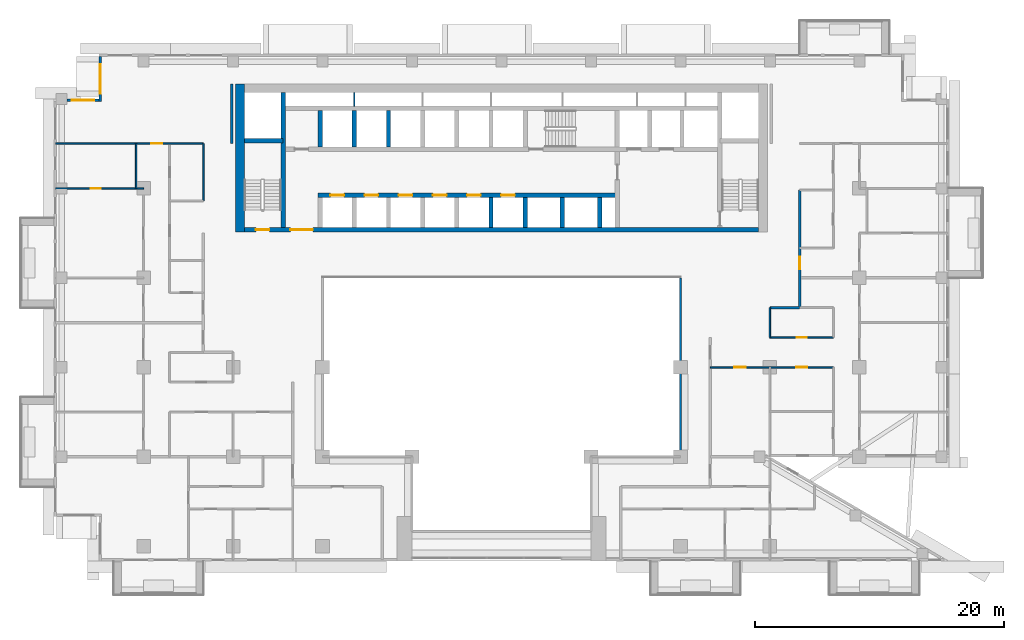
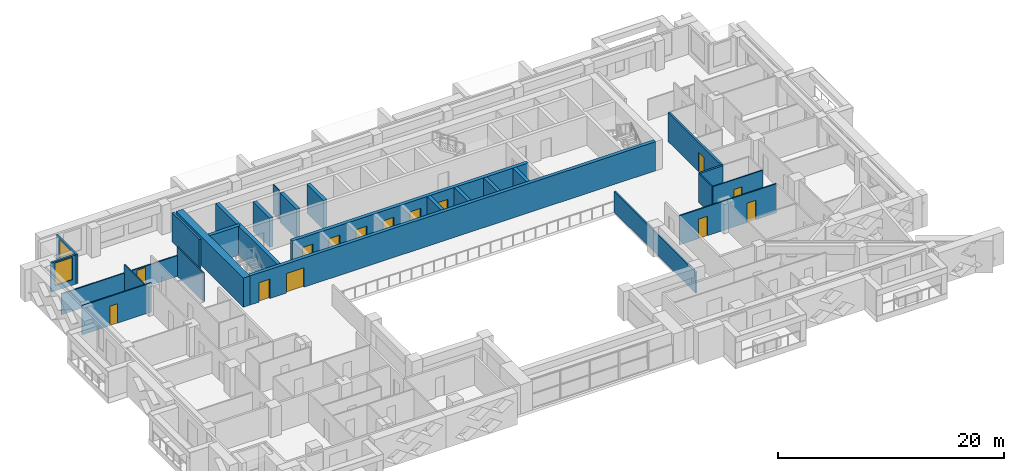
# One storey, part 9 of 19: 26 walls, 14 doors, 2 windows, 16 openings.
"""IFC4 building model written with IfcOpenShell, lengths in metres."""

from ifc_helpers import new_model, si_unit, direction, frame, frame_2d, origin, place, context, subcontext, project, spatial, rectangle, extrude, material, layer, layer_set, type_object, element, fill, save


model = new_model("IFC4")

# Units and contexts
model_context = context("Model", 3, precision=1e-05, world=origin(), true_north=direction((0.0, 1.0)))
body_context = subcontext(model_context, "Body", "Model", "MODEL_VIEW")
ifc_project = project(units=[si_unit("LENGTHUNIT", "METRE"), si_unit("AREAUNIT", "SQUARE_METRE"), si_unit("VOLUMEUNIT", "CUBIC_METRE"), si_unit("PLANEANGLEUNIT", "RADIAN"), si_unit("MASSUNIT", "GRAM", prefix="KILO")], contexts=[model_context])

# Site, building, storey
site_placement = place(None, origin())
site = spatial("IfcSite", under=ifc_project, at=site_placement, CompositionType="ELEMENT")
building_placement = place(site_placement, origin())
building = spatial("IfcBuilding", under=site, at=building_placement, Name="Saffron Iwan Residences", CompositionType="ELEMENT")
storey_placement = place(building_placement, frame((0.0, 0.0, 134.0)))
storey = spatial("IfcBuildingStorey", under=building, at=storey_placement, Name="L35", CompositionType="ELEMENT", Elevation=134.0)

# Wall
ifc_material_1 = material(Name="Fire-rated glazing", Category="glass")
ifc_layer_1 = layer(ifc_material_1, 0.14990234375)
ifc_layer_set_1 = layer_set([ifc_layer_1], Name="Fire-rated glazing")
wall_type_1 = type_object("IfcWallType", Name="Atrium glazed screen 150", PredefinedType="SOLIDWALL", material=ifc_layer_set_1)
wall_1_placement = place(storey_placement, frame((64.800048828125, 48.0, 0.0), z_axis=(0.0, 0.0, 1.0), x_axis=(0.0, 1.0, 0.0)))
element("IfcWall", 1, at=wall_1_placement, inside=storey, type_object=wall_type_1, Name="W-L35-SCREEN-v64.8-48", PredefinedType="SOLIDWALL", context=body_context, shape_type="SweptSolid", body=[
    extrude(rectangle(XDim=14.39990234375, YDim=0.14990234375, at=frame_2d((7.199951171875, 0.0))), origin(), (0.0, 0.0, 1.0), 2.25),
])

# Wall, opening, window
ifc_material_2 = material(Name="Concrete C40/50", Category="concrete")
ifc_layer_2 = layer(ifc_material_2, 0.199951171875)
ifc_layer_set_2 = layer_set([ifc_layer_2], Name="Concrete C40/50")
wall_type_2 = type_object("IfcWallType", Name="EXTERNAL WALL 200", PredefinedType="SOLIDWALL", material=ifc_layer_set_2)
wall_2_placement = place(storey_placement, frame((18.10009765625, 80.199951171875, 0.0), z_axis=(0.0, 0.0, 1.0), x_axis=(0.0, -1.0, 0.0)))
wall_2 = element("IfcWall", 2, at=wall_2_placement, inside=storey, type_object=wall_type_2, Name="External wall L35 F6.0", PredefinedType="SOLIDWALL", context=body_context, shape_type="SweptSolid", body=[
    extrude(rectangle(XDim=3.599853515625, YDim=0.199951171875, at=frame_2d((1.7998046875, 0.0))), origin(), (0.0, 0.0, 1.0), 3.14990234375),
])
opening_1_placement = place(wall_2_placement, frame((0.60009765625, 0.0, 0.60009765625)))
opening_1 = element("IfcOpeningElement", 3, at=opening_1_placement, cuts=wall_2, Name="Opening W1", PredefinedType="OPENING", context=body_context, shape_type="SweptSolid", body=[
    extrude(rectangle(XDim=2.39990234375, YDim=2.39990234375, at=frame_2d((1.199951171875, 1.199951171875))), frame((0.0, 0.10986328125, 0.0), z_axis=(0.0, -1.0, 0.0), x_axis=(1.0, 0.0, 0.0)), (0.0, 0.0, 1.0), 0.219970703125),
])
ifc_material_3 = material(Name="Clear glass, laminated double glazed", Category="glass")
window_type_1 = type_object("IfcWindowType", Name="WINDOW 2400 x 2400", PartitioningType="DOUBLE_PANEL_VERTICAL", PredefinedType="WINDOW", material=ifc_material_3)
window_1_placement = place(opening_1_placement, origin())
window_1 = element("IfcWindow", 4, at=window_1_placement, inside=storey, type_object=window_type_1, Name="Window L35 F6.0", OverallHeight=2.39990234375, OverallWidth=2.39990234375, PartitioningType="DOUBLE_PANEL_VERTICAL", PredefinedType="WINDOW", context=body_context, shape_type="SweptSolid", body=[
    extrude(rectangle(XDim=2.39990234375, YDim=2.39990234375, at=frame_2d((1.199951171875, 1.199951171875))), frame((0.0, 0.030029296875, 0.0), z_axis=(0.0, -1.0, 0.0), x_axis=(1.0, 0.0, 0.0)), (0.0, 0.0, 1.0), 0.06005859375),
])
fill(opening_1, window_1)

wall_3_placement = place(storey_placement, frame((18.0, 76.699951171875, 0.0), z_axis=(0.0, 0.0, 1.0), x_axis=(-1.0, 0.0, 0.0)))
wall_3 = element("IfcWall", 5, at=wall_3_placement, inside=storey, type_object=wall_type_2, Name="External wall L35 F7.0", PredefinedType="SOLIDWALL", context=body_context, shape_type="SweptSolid", body=[
    extrude(rectangle(XDim=2.550048828125, YDim=0.199951171875, at=frame_2d((1.27490234375, 0.0))), origin(), (0.0, 0.0, 1.0), 3.14990234375),
])
opening_2_placement = place(wall_3_placement, frame((0.375, 0.0, 0.60009765625)))
opening_2 = element("IfcOpeningElement", 6, at=opening_2_placement, cuts=wall_3, Name="Opening W8", PredefinedType="OPENING", context=body_context, shape_type="SweptSolid", body=[
    extrude(rectangle(XDim=1.800048828125, YDim=2.39990234375, at=frame_2d((0.89990234375, 1.199951171875))), frame((0.0, 0.10986328125, 0.0), z_axis=(0.0, -1.0, 0.0), x_axis=(1.0, 0.0, 0.0)), (0.0, 0.0, 1.0), 0.219970703125),
])
window_type_2 = type_object("IfcWindowType", Name="WINDOW 1800 x 2400", PartitioningType="DOUBLE_PANEL_VERTICAL", PredefinedType="WINDOW", material=ifc_material_3)
window_2_placement = place(opening_2_placement, origin())
window_2 = element("IfcWindow", 7, at=window_2_placement, inside=storey, type_object=window_type_2, Name="Window L35 F7.0", OverallHeight=2.39990234375, OverallWidth=1.800048828125, PartitioningType="DOUBLE_PANEL_VERTICAL", PredefinedType="WINDOW", context=body_context, shape_type="SweptSolid", body=[
    extrude(rectangle(XDim=1.800048828125, YDim=2.39990234375, at=frame_2d((0.89990234375, 1.199951171875))), frame((0.0, 0.030029296875, 0.0), z_axis=(0.0, -1.0, 0.0), x_axis=(1.0, 0.0, 0.0)), (0.0, 0.0, 1.0), 0.06005859375),
])
fill(opening_2, window_2)

# Wall, openings, doors
ifc_material_4 = material(Name="Gypsum board partition")
ifc_layer_3 = layer(ifc_material_4, 0.1201171875)
ifc_layer_set_3 = layer_set([ifc_layer_3], Name="Gypsum board partition")
wall_type_3 = type_object("IfcWallType", Name="Flat partition 120", PredefinedType="PARTITIONING", material=ifc_layer_set_3)
wall_4_placement = place(storey_placement, frame((67.199951171875, 55.199951171875, 0.0), z_axis=(0.0, 0.0, 1.0), x_axis=(1.0, 0.0, 0.0)))
wall_4 = element("IfcWall", 8, at=wall_4_placement, inside=storey, type_object=wall_type_3, Name="W-L35-PART-h55.2-67.2", PredefinedType="PARTITIONING", context=body_context, shape_type="SweptSolid", body=[
    extrude(rectangle(XDim=9.900146484375, YDim=0.1201171875, at=frame_2d((4.9501953125, 0.0))), origin(), (0.0, 0.0, 1.0), 3.14990234375),
])
opening_3_placement = place(wall_4_placement, frame((6.89990234375, 0.0, 0.0)))
opening_3 = element("IfcOpeningElement", 9, at=opening_3_placement, cuts=wall_4, Name="Opening FD2", PredefinedType="OPENING", context=body_context, shape_type="SweptSolid", body=[
    extrude(rectangle(XDim=0.89990234375, YDim=2.10009765625, at=frame_2d((0.449951171875, 1.050048828125))), frame((0.0, 0.070068359375, 0.0), z_axis=(0.0, -1.0, 0.0), x_axis=(1.0, 0.0, 0.0)), (0.0, 0.0, 1.0), 0.14013671875),
])
opening_4_placement = place(wall_4_placement, frame((1.949951171875, 0.0, 0.0)))
opening_4 = element("IfcOpeningElement", 10, at=opening_4_placement, cuts=wall_4, Name="Opening FD2", PredefinedType="OPENING", context=body_context, shape_type="SweptSolid", body=[
    extrude(rectangle(XDim=0.89990234375, YDim=2.10009765625, at=frame_2d((0.449951171875, 1.050048828125))), frame((0.0, 0.070068359375, 0.0), z_axis=(0.0, -1.0, 0.0), x_axis=(1.0, 0.0, 0.0)), (0.0, 0.0, 1.0), 0.14013671875),
])
ifc_material_5 = material(Name="Timber door", Category="wood")
door_type_1 = type_object("IfcDoorType", Name="Flat door 900", OperationType="NOTDEFINED", PredefinedType="DOOR", material=ifc_material_5)
door_1_placement = place(opening_3_placement, origin())
door_1 = element("IfcDoor", 11, at=door_1_placement, inside=storey, type_object=door_type_1, Name="Door L35-018", OperationType="SINGLE_SWING_LEFT", OverallHeight=2.10009765625, OverallWidth=0.89990234375, PredefinedType="DOOR", context=body_context, shape_type="SweptSolid", body=[
    extrude(rectangle(XDim=0.89990234375, YDim=2.10009765625, at=frame_2d((0.449951171875, 1.050048828125))), frame((0.0, 0.02490234375, 0.0), z_axis=(0.0, -1.0, 0.0), x_axis=(1.0, 0.0, 0.0)), (0.0, 0.0, 1.0), 0.050048828125),
])
fill(opening_3, door_1)
door_2_placement = place(opening_4_placement, origin())
door_2 = element("IfcDoor", 12, at=door_2_placement, inside=storey, type_object=door_type_1, Name="Door L35-020", OperationType="SINGLE_SWING_RIGHT", OverallHeight=2.10009765625, OverallWidth=0.89990234375, PredefinedType="DOOR", context=body_context, shape_type="SweptSolid", body=[
    extrude(rectangle(XDim=0.89990234375, YDim=2.10009765625, at=frame_2d((0.449951171875, 1.050048828125))), frame((0.0, 0.02490234375, 0.0), z_axis=(0.0, -1.0, 0.0), x_axis=(1.0, 0.0, 0.0)), (0.0, 0.0, 1.0), 0.050048828125),
])
fill(opening_4, door_2)

# Wall, opening, door
wall_5_placement = place(storey_placement, frame((72.0, 57.60009765625, 0.0), z_axis=(0.0, 0.0, 1.0), x_axis=(1.0, 0.0, 0.0)))
wall_5 = element("IfcWall", 13, at=wall_5_placement, inside=storey, type_object=wall_type_3, Name="W-L35-PART-h57.6-72", PredefinedType="PARTITIONING", context=body_context, shape_type="SweptSolid", body=[
    extrude(rectangle(XDim=5.10009765625, YDim=0.1201171875, at=frame_2d((2.550048828125, 0.0))), origin(), (0.0, 0.0, 1.0), 3.14990234375),
])
opening_5_placement = place(wall_5_placement, frame((2.14990234375, 0.0, 0.0)))
opening_5 = element("IfcOpeningElement", 14, at=opening_5_placement, cuts=wall_5, Name="Opening FD3", PredefinedType="OPENING", context=body_context, shape_type="SweptSolid", body=[
    extrude(rectangle(XDim=0.800048828125, YDim=2.10009765625, at=frame_2d((0.39990234375, 1.050048828125))), frame((0.0, 0.070068359375, 0.0), z_axis=(0.0, -1.0, 0.0), x_axis=(1.0, 0.0, 0.0)), (0.0, 0.0, 1.0), 0.14013671875),
])
door_type_2 = type_object("IfcDoorType", Name="Bathroom door 800", OperationType="NOTDEFINED", PredefinedType="DOOR", material=ifc_material_5)
door_3_placement = place(opening_5_placement, origin())
door_3 = element("IfcDoor", 15, at=door_3_placement, inside=storey, type_object=door_type_2, Name="Door L35-019", OperationType="SINGLE_SWING_LEFT", OverallHeight=2.10009765625, OverallWidth=0.800048828125, PredefinedType="DOOR", context=body_context, shape_type="SweptSolid", body=[
    extrude(rectangle(XDim=0.800048828125, YDim=2.10009765625, at=frame_2d((0.39990234375, 1.050048828125))), frame((0.0, 0.02490234375, 0.0), z_axis=(0.0, -1.0, 0.0), x_axis=(1.0, 0.0, 0.0)), (0.0, 0.0, 1.0), 0.050048828125),
])
fill(opening_5, door_3)

wall_6_placement = place(storey_placement, frame((14.52490234375, 69.60009765625, 0.0), z_axis=(0.0, 0.0, 1.0), x_axis=(1.0, 0.0, 0.0)))
wall_6 = element("IfcWall", 16, at=wall_6_placement, inside=storey, type_object=wall_type_3, Name="W-L35-PART-h69.6-14.525", PredefinedType="PARTITIONING", context=body_context, shape_type="SweptSolid", body=[
    extrude(rectangle(XDim=7.0751953125, YDim=0.1201171875, at=frame_2d((3.53759765625, 0.0))), origin(), (0.0, 0.0, 1.0), 3.14990234375),
])
opening_6_placement = place(wall_6_placement, frame((2.83740234375, 0.0, 0.0)))
opening_6 = element("IfcOpeningElement", 17, at=opening_6_placement, cuts=wall_6, Name="Opening FD3", PredefinedType="OPENING", context=body_context, shape_type="SweptSolid", body=[
    extrude(rectangle(XDim=0.800048828125, YDim=2.10009765625, at=frame_2d((0.39990234375, 1.050048828125))), frame((0.0, 0.070068359375, 0.0), z_axis=(0.0, -1.0, 0.0), x_axis=(1.0, 0.0, 0.0)), (0.0, 0.0, 1.0), 0.14013671875),
])
door_4_placement = place(opening_6_placement, origin())
door_4 = element("IfcDoor", 18, at=door_4_placement, inside=storey, type_object=door_type_2, Name="Door L35-024", OperationType="SINGLE_SWING_LEFT", OverallHeight=2.10009765625, OverallWidth=0.800048828125, PredefinedType="DOOR", context=body_context, shape_type="SweptSolid", body=[
    extrude(rectangle(XDim=0.800048828125, YDim=2.10009765625, at=frame_2d((0.39990234375, 1.050048828125))), frame((0.0, 0.02490234375, 0.0), z_axis=(0.0, -1.0, 0.0), x_axis=(1.0, 0.0, 0.0)), (0.0, 0.0, 1.0), 0.050048828125),
])
fill(opening_6, door_4)

wall_7_placement = place(storey_placement, frame((14.52490234375, 73.199951171875, 0.0), z_axis=(0.0, 0.0, 1.0), x_axis=(1.0, 0.0, 0.0)))
wall_7 = element("IfcWall", 19, at=wall_7_placement, inside=storey, type_object=wall_type_3, Name="W-L35-PART-h73.2-14.525", PredefinedType="PARTITIONING", context=body_context, shape_type="SweptSolid", body=[
    extrude(rectangle(XDim=11.875, YDim=0.1201171875, at=frame_2d((5.9375, 0.0))), origin(), (0.0, 0.0, 1.0), 2.25),
])
opening_7_placement = place(wall_7_placement, frame((7.675048828125, 0.0, 0.0)))
opening_7 = element("IfcOpeningElement", 20, at=opening_7_placement, cuts=wall_7, Name="Opening FD2", PredefinedType="OPENING", context=body_context, shape_type="SweptSolid", body=[
    extrude(rectangle(XDim=0.89990234375, YDim=2.10009765625, at=frame_2d((0.449951171875, 1.050048828125))), frame((0.0, 0.070068359375, 0.0), z_axis=(0.0, -1.0, 0.0), x_axis=(1.0, 0.0, 0.0)), (0.0, 0.0, 1.0), 0.14013671875),
])
door_5_placement = place(opening_7_placement, origin())
door_5 = element("IfcDoor", 21, at=door_5_placement, inside=storey, type_object=door_type_1, Name="Door L35-025", OperationType="SINGLE_SWING_LEFT", OverallHeight=2.10009765625, OverallWidth=0.89990234375, PredefinedType="DOOR", context=body_context, shape_type="SweptSolid", body=[
    extrude(rectangle(XDim=0.89990234375, YDim=2.10009765625, at=frame_2d((0.449951171875, 1.050048828125))), frame((0.0, 0.02490234375, 0.0), z_axis=(0.0, -1.0, 0.0), x_axis=(1.0, 0.0, 0.0)), (0.0, 0.0, 1.0), 0.050048828125),
])
fill(opening_7, door_5)

# Walls
wall_8_placement = place(storey_placement, frame((21.0, 69.60009765625, 0.0), z_axis=(0.0, 0.0, 1.0), x_axis=(0.0, 1.0, 0.0)))
element("IfcWall", 22, at=wall_8_placement, inside=storey, type_object=wall_type_3, Name="W-L35-PART-v21-69.6", PredefinedType="PARTITIONING", context=body_context, shape_type="SweptSolid", body=[
    extrude(rectangle(XDim=3.599853515625, YDim=0.1201171875, at=frame_2d((1.7998046875, 0.0))), origin(), (0.0, 0.0, 1.0), 3.14990234375),
])
wall_9_placement = place(storey_placement, frame((26.39990234375, 68.60009765625, 0.0), z_axis=(0.0, 0.0, 1.0), x_axis=(0.0, 1.0, 0.0)))
element("IfcWall", 23, at=wall_9_placement, inside=storey, type_object=wall_type_3, Name="W-L35-PART-v26.4-68.6", PredefinedType="PARTITIONING", context=body_context, shape_type="SweptSolid", body=[
    extrude(rectangle(XDim=4.599853515625, YDim=0.1201171875, at=frame_2d((2.2998046875, 0.0))), origin(), (0.0, 0.0, 1.0), 3.14990234375),
])
wall_10_placement = place(storey_placement, frame((72.0, 57.60009765625, 0.0), z_axis=(0.0, 0.0, 1.0), x_axis=(0.0, 1.0, 0.0)))
element("IfcWall", 24, at=wall_10_placement, inside=storey, type_object=wall_type_3, Name="W-L35-PART-v72-57.6", PredefinedType="PARTITIONING", context=body_context, shape_type="SweptSolid", body=[
    extrude(rectangle(XDim=2.39990234375, YDim=0.1201171875, at=frame_2d((1.199951171875, 0.0))), origin(), (0.0, 0.0, 1.0), 3.14990234375),
])
ifc_material_6 = material(Name="Fire-rated gypsum board wall")
ifc_layer_4 = layer(ifc_material_6, 0.199951171875)
ifc_layer_set_4 = layer_set([ifc_layer_4], Name="Fire-rated gypsum board wall")
wall_type_4 = type_object("IfcWallType", Name="Gallery wall 200", PredefinedType="SOLIDWALL", material=ifc_layer_set_4)
wall_11_placement = place(storey_placement, frame((72.0, 60.0, 0.0), z_axis=(0.0, 0.0, 1.0), x_axis=(1.0, 0.0, 0.0)))
element("IfcWall", 25, at=wall_11_placement, inside=storey, type_object=wall_type_4, Name="W-L35-CORR-h60-72", PredefinedType="SOLIDWALL", context=body_context, shape_type="SweptSolid", body=[
    extrude(rectangle(XDim=2.39990234375, YDim=0.199951171875, at=frame_2d((1.199951171875, 0.0))), origin(), (0.0, 0.0, 1.0), 3.14990234375),
])
wall_12_placement = place(storey_placement, frame((28.699951171875, 73.199951171875, 0.0), z_axis=(0.0, 0.0, 1.0), x_axis=(0.0, 1.0, 0.0)))
element("IfcWall", 26, at=wall_12_placement, inside=storey, type_object=wall_type_4, Name="W-L35-CORR-v28.8-73.2", PredefinedType="SOLIDWALL", context=body_context, shape_type="SweptSolid", body=[
    extrude(rectangle(XDim=4.800048828125, YDim=0.199951171875, at=frame_2d((2.39990234375, 0.0))), origin(), (0.0, 0.0, 1.0), 3.14990234375),
])

# Wall, opening, door
wall_13_placement = place(storey_placement, frame((74.39990234375, 60.0, 0.0), z_axis=(0.0, 0.0, 1.0), x_axis=(0.0, 1.0, 0.0)))
wall_13 = element("IfcWall", 27, at=wall_13_placement, inside=storey, type_object=wall_type_4, Name="W-L35-CORR-v74.4-60", PredefinedType="SOLIDWALL", context=body_context, shape_type="SweptSolid", body=[
    extrude(rectangle(XDim=9.449951171875, YDim=0.199951171875, at=frame_2d((4.72509765625, 0.0))), origin(), (0.0, 0.0, 1.0), 3.14990234375),
])
opening_8_placement = place(wall_13_placement, frame((3.10009765625, 0.0, 0.0)))
opening_8 = element("IfcOpeningElement", 28, at=opening_8_placement, cuts=wall_13, Name="Opening FD1", PredefinedType="OPENING", context=body_context, shape_type="SweptSolid", body=[
    extrude(rectangle(XDim=1.0, YDim=2.10009765625, at=frame_2d((0.5, 1.050048828125))), frame((0.0, 0.10986328125, 0.0), z_axis=(0.0, -1.0, 0.0), x_axis=(1.0, 0.0, 0.0)), (0.0, 0.0, 1.0), 0.219970703125),
])
ifc_material_7 = material(Name="Fire-rated timber door", Category="wood")
door_type_3 = type_object("IfcDoorType", Name="FD30S flat entrance door 1000", OperationType="NOTDEFINED", PredefinedType="DOOR", material=ifc_material_7)
door_6_placement = place(opening_8_placement, origin())
door_6 = element("IfcDoor", 29, at=door_6_placement, inside=storey, type_object=door_type_3, Name="Door L35-029", OperationType="SINGLE_SWING_RIGHT", OverallHeight=2.10009765625, OverallWidth=1.0, PredefinedType="DOOR", context=body_context, shape_type="SweptSolid", body=[
    extrude(rectangle(XDim=1.0, YDim=2.10009765625, at=frame_2d((0.5, 1.050048828125))), frame((0.0, 0.02490234375, 0.0), z_axis=(0.0, -1.0, 0.0), x_axis=(1.0, 0.0, 0.0)), (0.0, 0.0, 1.0), 0.050048828125),
])
fill(opening_8, door_6)

# Wall
ifc_material_8 = material(Name="Fire-rated plasterboard partition")
ifc_layer_5 = layer(ifc_material_8, 0.10009765625)
ifc_layer_set_5 = layer_set([ifc_layer_5], Name="Fire-rated plasterboard partition")
wall_type_5 = type_object("IfcWallType", Name="Riser partition 100", PredefinedType="PARTITIONING", material=ifc_layer_set_5)
wall_14_placement = place(storey_placement, frame((38.550048828125, 76.22509765625, 0.0), z_axis=(0.0, 0.0, 1.0), x_axis=(0.0, 1.0, 0.0)))
element("IfcWall", 30, at=wall_14_placement, inside=storey, type_object=wall_type_5, Name="Core partition P01", PredefinedType="PARTITIONING", context=body_context, shape_type="SweptSolid", body=[
    extrude(rectangle(XDim=1.074951171875, YDim=0.10009765625, at=frame_2d((0.53759765625, 0.0))), origin(), (0.0, 0.0, 1.0), 3.14990234375),
])

# Wall, openings, doors
ifc_material_9 = material(Name="Concrete C50/60", Category="concrete")
ifc_layer_6 = layer(ifc_material_9, 0.35009765625)
ifc_layer_set_6 = layer_set([ifc_layer_6], Name="Concrete C50/60")
wall_type_6 = type_object("IfcWallType", Name="WALL CORE 350 C50/60 3150 HIGH", PredefinedType="SHEAR", material=ifc_layer_set_6)
wall_15_placement = place(storey_placement, frame((29.699951171875, 66.27490234375, 0.0), z_axis=(0.0, 0.0, 1.0), x_axis=(1.0, 0.0, 0.0)))
wall_15 = element("IfcWall", 31, at=wall_15_placement, inside=storey, type_object=wall_type_6, Name="Core wall", PredefinedType="SHEAR", context=body_context, shape_type="SweptSolid", body=[
    extrude(rectangle(XDim=41.400146484375, YDim=0.35009765625, at=frame_2d((20.7001953125, 0.0))), origin(), (0.0, 0.0, 1.0), 3.14990234375),
])
opening_9_placement = place(wall_15_placement, frame((0.925048828125, 0.0, 0.0)))
opening_9 = element("IfcOpeningElement", 32, at=opening_9_placement, cuts=wall_15, Name="Opening SD", PredefinedType="OPENING", context=body_context, shape_type="SweptSolid", body=[
    extrude(rectangle(XDim=1.10009765625, YDim=2.10009765625, at=frame_2d((0.550048828125, 1.050048828125))), frame((0.0, 0.18505859375, 0.0), z_axis=(0.0, -1.0, 0.0), x_axis=(1.0, 0.0, 0.0)), (0.0, 0.0, 1.0), 0.3701171875),
])
opening_10_placement = place(wall_15_placement, frame((3.71240234375, 0.0, 0.0)))
opening_10 = element("IfcOpeningElement", 33, at=opening_10_placement, cuts=wall_15, Name="Opening DD", PredefinedType="OPENING", context=body_context, shape_type="SweptSolid", body=[
    extrude(rectangle(XDim=1.800048828125, YDim=2.10009765625, at=frame_2d((0.89990234375, 1.050048828125))), frame((0.0, 0.18505859375, 0.0), z_axis=(0.0, -1.0, 0.0), x_axis=(1.0, 0.0, 0.0)), (0.0, 0.0, 1.0), 0.3701171875),
])
ifc_material_10 = material(Name="Steel fire door", Category="steel")
door_type_4 = type_object("IfcDoorType", Name="Lobby double door 1800", OperationType="DOUBLE_DOOR_SINGLE_SWING", PredefinedType="DOOR", material=ifc_material_10)
door_7_placement = place(opening_10_placement, origin())
door_7 = element("IfcDoor", 34, at=door_7_placement, inside=storey, type_object=door_type_4, Name="Lobby doors", OperationType="DOUBLE_DOOR_SINGLE_SWING", OverallHeight=2.10009765625, OverallWidth=1.800048828125, PredefinedType="DOOR", context=body_context, shape_type="SweptSolid", body=[
    extrude(rectangle(XDim=1.800048828125, YDim=2.10009765625, at=frame_2d((0.89990234375, 1.050048828125))), frame((0.0, 0.02490234375, 0.0), z_axis=(0.0, -1.0, 0.0), x_axis=(1.0, 0.0, 0.0)), (0.0, 0.0, 1.0), 0.050048828125),
])
fill(opening_10, door_7)
door_type_5 = type_object("IfcDoorType", Name="Stair door 1100", OperationType="NOTDEFINED", PredefinedType="DOOR", material=ifc_material_10)
door_8_placement = place(opening_9_placement, origin())
door_8 = element("IfcDoor", 35, at=door_8_placement, inside=storey, type_object=door_type_5, Name="Stair door ST-W", OperationType="SINGLE_SWING_LEFT", OverallHeight=2.10009765625, OverallWidth=1.10009765625, PredefinedType="DOOR", context=body_context, shape_type="SweptSolid", body=[
    extrude(rectangle(XDim=1.10009765625, YDim=2.10009765625, at=frame_2d((0.550048828125, 1.050048828125))), frame((0.0, 0.02490234375, 0.0), z_axis=(0.0, -1.0, 0.0), x_axis=(1.0, 0.0, 0.0)), (0.0, 0.0, 1.0), 0.050048828125),
])
fill(opening_9, door_8)

wall_16_placement = place(storey_placement, frame((35.625, 69.050048828125, 0.0), z_axis=(0.0, 0.0, 1.0), x_axis=(1.0, 0.0, 0.0)))
wall_16 = element("IfcWall", 36, at=wall_16_placement, inside=storey, type_object=wall_type_6, Name="Core wall", PredefinedType="SHEAR", context=body_context, shape_type="SweptSolid", body=[
    extrude(rectangle(XDim=24.10009765625, YDim=0.35009765625, at=frame_2d((12.050048828125, 0.0))), origin(), (0.0, 0.0, 1.0), 3.14990234375),
])
opening_11_placement = place(wall_16_placement, frame((1.0, 0.0, 0.0)))
opening_11 = element("IfcOpeningElement", 37, at=opening_11_placement, cuts=wall_16, Name="Opening LD", PredefinedType="OPENING", context=body_context, shape_type="SweptSolid", body=[
    extrude(rectangle(XDim=1.10009765625, YDim=2.10009765625, at=frame_2d((0.550048828125, 1.050048828125))), frame((0.0, 0.18505859375, 0.0), z_axis=(0.0, -1.0, 0.0), x_axis=(1.0, 0.0, 0.0)), (0.0, 0.0, 1.0), 0.3701171875),
])
opening_12_placement = place(wall_16_placement, frame((3.75, 0.0, 0.0)))
opening_12 = element("IfcOpeningElement", 38, at=opening_12_placement, cuts=wall_16, Name="Opening LD", PredefinedType="OPENING", context=body_context, shape_type="SweptSolid", body=[
    extrude(rectangle(XDim=1.10009765625, YDim=2.10009765625, at=frame_2d((0.550048828125, 1.050048828125))), frame((0.0, 0.18505859375, 0.0), z_axis=(0.0, -1.0, 0.0), x_axis=(1.0, 0.0, 0.0)), (0.0, 0.0, 1.0), 0.3701171875),
])
opening_13_placement = place(wall_16_placement, frame((6.5, 0.0, 0.0)))
opening_13 = element("IfcOpeningElement", 39, at=opening_13_placement, cuts=wall_16, Name="Opening LD", PredefinedType="OPENING", context=body_context, shape_type="SweptSolid", body=[
    extrude(rectangle(XDim=1.10009765625, YDim=2.10009765625, at=frame_2d((0.550048828125, 1.050048828125))), frame((0.0, 0.18505859375, 0.0), z_axis=(0.0, -1.0, 0.0), x_axis=(1.0, 0.0, 0.0)), (0.0, 0.0, 1.0), 0.3701171875),
])
opening_14_placement = place(wall_16_placement, frame((9.25, 0.0, 0.0)))
opening_14 = element("IfcOpeningElement", 40, at=opening_14_placement, cuts=wall_16, Name="Opening LD", PredefinedType="OPENING", context=body_context, shape_type="SweptSolid", body=[
    extrude(rectangle(XDim=1.10009765625, YDim=2.10009765625, at=frame_2d((0.550048828125, 1.050048828125))), frame((0.0, 0.18505859375, 0.0), z_axis=(0.0, -1.0, 0.0), x_axis=(1.0, 0.0, 0.0)), (0.0, 0.0, 1.0), 0.3701171875),
])
opening_15_placement = place(wall_16_placement, frame((12.0, 0.0, 0.0)))
opening_15 = element("IfcOpeningElement", 41, at=opening_15_placement, cuts=wall_16, Name="Opening LD", PredefinedType="OPENING", context=body_context, shape_type="SweptSolid", body=[
    extrude(rectangle(XDim=1.10009765625, YDim=2.10009765625, at=frame_2d((0.550048828125, 1.050048828125))), frame((0.0, 0.18505859375, 0.0), z_axis=(0.0, -1.0, 0.0), x_axis=(1.0, 0.0, 0.0)), (0.0, 0.0, 1.0), 0.3701171875),
])
opening_16_placement = place(wall_16_placement, frame((14.75, 0.0, 0.0)))
opening_16 = element("IfcOpeningElement", 42, at=opening_16_placement, cuts=wall_16, Name="Opening LD", PredefinedType="OPENING", context=body_context, shape_type="SweptSolid", body=[
    extrude(rectangle(XDim=1.10009765625, YDim=2.10009765625, at=frame_2d((0.550048828125, 1.050048828125))), frame((0.0, 0.18505859375, 0.0), z_axis=(0.0, -1.0, 0.0), x_axis=(1.0, 0.0, 0.0)), (0.0, 0.0, 1.0), 0.3701171875),
])
door_type_6 = type_object("IfcDoorType", Name="Lift landing door 1100", OperationType="SLIDING_TO_LEFT", PredefinedType="DOOR", material=ifc_material_10)
door_9_placement = place(opening_11_placement, origin())
door_9 = element("IfcDoor", 43, at=door_9_placement, inside=storey, type_object=door_type_6, Name="Landing doors LR1", OperationType="SLIDING_TO_LEFT", OverallHeight=2.10009765625, OverallWidth=1.10009765625, PredefinedType="DOOR", context=body_context, shape_type="SweptSolid", body=[
    extrude(rectangle(XDim=1.10009765625, YDim=2.10009765625, at=frame_2d((0.550048828125, 1.050048828125))), frame((0.0, 0.02490234375, 0.0), z_axis=(0.0, -1.0, 0.0), x_axis=(1.0, 0.0, 0.0)), (0.0, 0.0, 1.0), 0.050048828125),
])
fill(opening_11, door_9)
door_10_placement = place(opening_12_placement, origin())
door_10 = element("IfcDoor", 44, at=door_10_placement, inside=storey, type_object=door_type_6, Name="Landing doors LR2", OperationType="SLIDING_TO_LEFT", OverallHeight=2.10009765625, OverallWidth=1.10009765625, PredefinedType="DOOR", context=body_context, shape_type="SweptSolid", body=[
    extrude(rectangle(XDim=1.10009765625, YDim=2.10009765625, at=frame_2d((0.550048828125, 1.050048828125))), frame((0.0, 0.02490234375, 0.0), z_axis=(0.0, -1.0, 0.0), x_axis=(1.0, 0.0, 0.0)), (0.0, 0.0, 1.0), 0.050048828125),
])
fill(opening_12, door_10)
door_11_placement = place(opening_13_placement, origin())
door_11 = element("IfcDoor", 45, at=door_11_placement, inside=storey, type_object=door_type_6, Name="Landing doors LR3", OperationType="SLIDING_TO_LEFT", OverallHeight=2.10009765625, OverallWidth=1.10009765625, PredefinedType="DOOR", context=body_context, shape_type="SweptSolid", body=[
    extrude(rectangle(XDim=1.10009765625, YDim=2.10009765625, at=frame_2d((0.550048828125, 1.050048828125))), frame((0.0, 0.02490234375, 0.0), z_axis=(0.0, -1.0, 0.0), x_axis=(1.0, 0.0, 0.0)), (0.0, 0.0, 1.0), 0.050048828125),
])
fill(opening_13, door_11)
door_12_placement = place(opening_14_placement, origin())
door_12 = element("IfcDoor", 46, at=door_12_placement, inside=storey, type_object=door_type_6, Name="Landing doors LR4", OperationType="SLIDING_TO_LEFT", OverallHeight=2.10009765625, OverallWidth=1.10009765625, PredefinedType="DOOR", context=body_context, shape_type="SweptSolid", body=[
    extrude(rectangle(XDim=1.10009765625, YDim=2.10009765625, at=frame_2d((0.550048828125, 1.050048828125))), frame((0.0, 0.02490234375, 0.0), z_axis=(0.0, -1.0, 0.0), x_axis=(1.0, 0.0, 0.0)), (0.0, 0.0, 1.0), 0.050048828125),
])
fill(opening_14, door_12)
door_13_placement = place(opening_15_placement, origin())
door_13 = element("IfcDoor", 47, at=door_13_placement, inside=storey, type_object=door_type_6, Name="Landing doors LR5", OperationType="SLIDING_TO_LEFT", OverallHeight=2.10009765625, OverallWidth=1.10009765625, PredefinedType="DOOR", context=body_context, shape_type="SweptSolid", body=[
    extrude(rectangle(XDim=1.10009765625, YDim=2.10009765625, at=frame_2d((0.550048828125, 1.050048828125))), frame((0.0, 0.02490234375, 0.0), z_axis=(0.0, -1.0, 0.0), x_axis=(1.0, 0.0, 0.0)), (0.0, 0.0, 1.0), 0.050048828125),
])
fill(opening_15, door_13)
door_14_placement = place(opening_16_placement, origin())
door_14 = element("IfcDoor", 48, at=door_14_placement, inside=storey, type_object=door_type_6, Name="Landing doors LR6", OperationType="SLIDING_TO_LEFT", OverallHeight=2.10009765625, OverallWidth=1.10009765625, PredefinedType="DOOR", context=body_context, shape_type="SweptSolid", body=[
    extrude(rectangle(XDim=1.10009765625, YDim=2.10009765625, at=frame_2d((0.550048828125, 1.050048828125))), frame((0.0, 0.02490234375, 0.0), z_axis=(0.0, -1.0, 0.0), x_axis=(1.0, 0.0, 0.0)), (0.0, 0.0, 1.0), 0.050048828125),
])
fill(opening_16, door_14)

# Walls
wall_17_placement = place(storey_placement, frame((29.699951171875, 73.425048828125, 0.0), z_axis=(0.0, 0.0, 1.0), x_axis=(1.0, 0.0, 0.0)))
element("IfcWall", 49, at=wall_17_placement, inside=storey, type_object=wall_type_6, Name="Core wall", PredefinedType="SHEAR", context=body_context, shape_type="SweptSolid", body=[
    extrude(rectangle(XDim=3.125, YDim=0.35009765625, at=frame_2d((1.5625, 0.0))), origin(), (0.0, 0.0, 1.0), 3.14990234375),
])
wall_18_placement = place(storey_placement, frame((32.824951171875, 66.449951171875, 0.0), z_axis=(0.0, 0.0, 1.0), x_axis=(0.0, 1.0, 0.0)))
element("IfcWall", 50, at=wall_18_placement, inside=storey, type_object=wall_type_6, Name="Core wall", PredefinedType="SHEAR", context=body_context, shape_type="SweptSolid", body=[
    extrude(rectangle(XDim=10.85009765625, YDim=0.35009765625, at=frame_2d((5.425048828125, 0.0))), origin(), (0.0, 0.0, 1.0), 3.14990234375),
])
for number, where, z_axis, x_axis, name in (
    (51, (49.550048828125, 66.449951171875, 0.0), (0.0, 0.0, 1.0), (0.0, 1.0, 0.0), "Core wall"),
    (52, (52.300048828125, 66.449951171875, 0.0), (0.0, 0.0, 1.0), (0.0, 1.0, 0.0), "Core wall"),
    (53, (55.300048828125, 66.449951171875, 0.0), (0.0, 0.0, 1.0), (0.0, 1.0, 0.0), "Core wall"),
    (54, (58.300048828125, 66.449951171875, 0.0), (0.0, 0.0, 1.0), (0.0, 1.0, 0.0), "Core wall"),
):
    element("IfcWall", number, at=place(storey_placement, frame(where, z_axis=z_axis, x_axis=x_axis)), inside=storey, type_object=wall_type_6, Name=name, PredefinedType="SHEAR", context=body_context, shape_type="SweptSolid", body=[
        extrude(rectangle(XDim=2.425048828125, YDim=0.35009765625, at=frame_2d((1.21240234375, 0.0))), origin(), (0.0, 0.0, 1.0), 3.14990234375),
    ])
for number, where, z_axis, x_axis, name in (
    (55, (35.800048828125, 72.925048828125, 0.0), (0.0, 0.0, 1.0), (0.0, 1.0, 0.0), "Core wall"),
    (56, (38.550048828125, 72.925048828125, 0.0), (0.0, 0.0, 1.0), (0.0, 1.0, 0.0), "Core wall"),
    (57, (41.300048828125, 72.925048828125, 0.0), (0.0, 0.0, 1.0), (0.0, 1.0, 0.0), "Core wall"),
):
    element("IfcWall", number, at=place(storey_placement, frame(where, z_axis=z_axis, x_axis=x_axis)), inside=storey, type_object=wall_type_6, Name=name, PredefinedType="SHEAR", context=body_context, shape_type="SweptSolid", body=[
        extrude(rectangle(XDim=2.949951171875, YDim=0.35009765625, at=frame_2d((1.47509765625, 0.0))), origin(), (0.0, 0.0, 1.0), 3.14990234375),
    ])
ifc_layer_7 = layer(ifc_material_9, 0.699951171875)
ifc_layer_set_7 = layer_set([ifc_layer_7], Name="Concrete C50/60")
wall_type_7 = type_object("IfcWallType", Name="WALL CORE 700 C50/60 3150 HIGH", PredefinedType="SHEAR", material=ifc_layer_set_7)
wall_19_placement = place(storey_placement, frame((29.35009765625, 66.10009765625, 0.0), z_axis=(0.0, 0.0, 1.0), x_axis=(0.0, 1.0, 0.0)))
element("IfcWall", 58, at=wall_19_placement, inside=storey, type_object=wall_type_7, Name="Core wall", PredefinedType="SHEAR", context=body_context, shape_type="SweptSolid", body=[
    extrude(rectangle(XDim=11.89990234375, YDim=0.699951171875, at=frame_2d((5.949951171875, 0.0))), origin(), (0.0, 0.0, 1.0), 3.14990234375),
])

save(model, "model.ifc")
